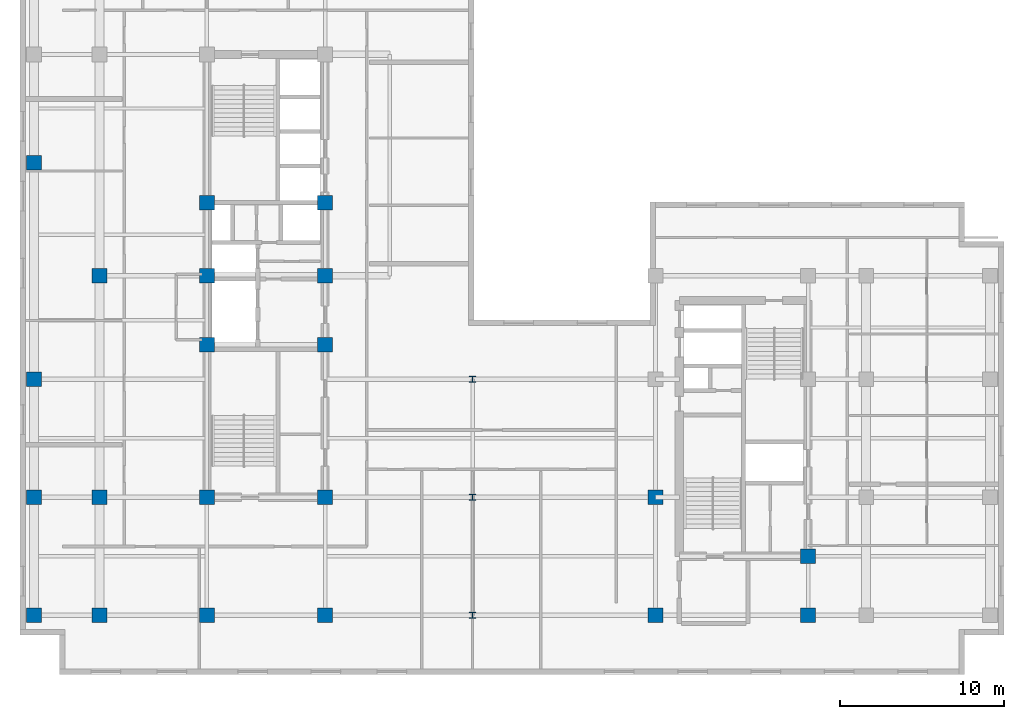
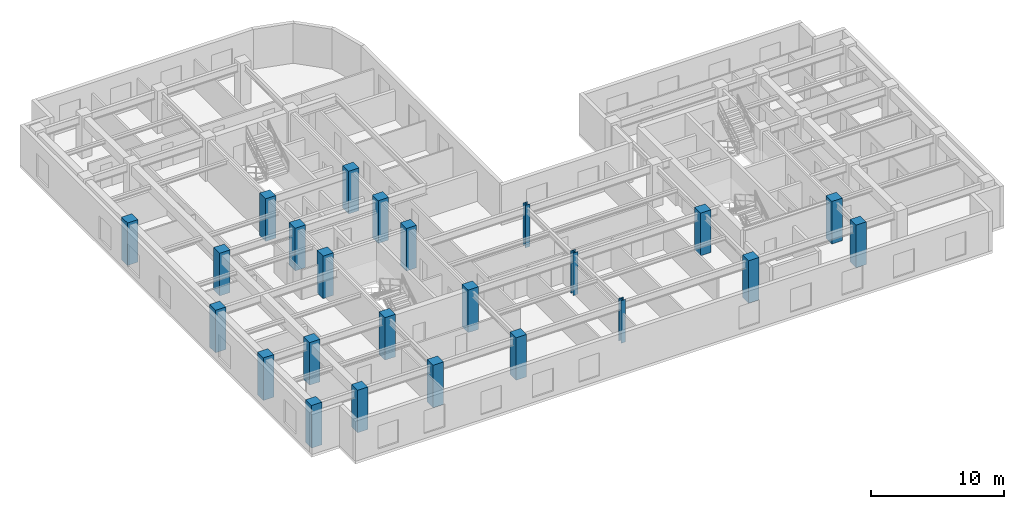
# One storey, part 1 of 11: 24 columns.
"""IFC4 building model written with IfcOpenShell, lengths in metres."""

import ifcopenshell
import ifcopenshell.guid

model = None  # the IFC model being written
_history = None  # IfcOwnerHistory: only IFC2X3 demands one
_inside = {}  # id of a spatial element -> (the spatial element, [elements in it])
_under = {}  # id of a project, library or spatial element -> (it, [spatial elements below it])
_declared = {}  # id of a project -> (the project, [libraries it declares])
_typed = {}  # id of a type object -> (the type object, [elements of that type])
_made_of = {}  # id of a material, layer set ... -> (it, [elements and type objects made of it])


def new_model(schema):
    """Start an empty IFC model of exactly this schema.

    Asked for "IFC4X3", IfcOpenShell would pick the latest addendum, in which some entities
    have other attributes; the version numbers below select the first issue.
    IFC2X3 requires an IfcOwnerHistory on every rooted entity: one is made here for all.
    """
    global model, _history
    if schema == "IFC4X3":
        model = ifcopenshell.file(schema_version=(4, 3, 0, 0))
    else:
        model = ifcopenshell.file(schema=schema)
    _inside.clear()
    _under.clear()
    _declared.clear()
    _typed.clear()
    _made_of.clear()
    _history = None
    if model.schema == "IFC2X3":
        org = make("IfcOrganization", Name="unknown")
        user = make(
            "IfcPersonAndOrganization",
            ThePerson=make("IfcPerson", FamilyName="unknown"),
            TheOrganization=org,
        )
        app = make(
            "IfcApplication",
            ApplicationDeveloper=org,
            Version="unknown",
            ApplicationFullName="unknown",
            ApplicationIdentifier="unknown",
        )
        _history = make(
            "IfcOwnerHistory",
            OwningUser=user,
            OwningApplication=app,
            ChangeAction="ADDED",
            CreationDate=0,
        )
    return model


def make(cls, **values):
    """One entity of the class cls with the attributes given. An attribute that is None is left unset."""
    return model.create_entity(
        cls, **{name: value for name, value in values.items() if value is not None}
    )


def entity(cls, *values):
    """Any entity or typed value of the class cls, its attributes in the order of the schema. None: left unset."""
    e = model.create_entity(cls)
    for i, value in enumerate(values):
        if value is not None:
            e[i] = value
    return e


def rooted(cls, **values):
    """An entity with a GlobalId (a new one), such as an element, a storey or a relation."""
    return make(cls, GlobalId=ifcopenshell.guid.new(), OwnerHistory=_history, **values)


def si_unit(unit_type, name, prefix=None):
    """IfcSIUnit, for example si_unit("LENGTHUNIT", "METRE", prefix="MILLI")."""
    return make("IfcSIUnit", UnitType=unit_type, Prefix=prefix, Name=name)


def converted_unit(unit_type, name, factor, base, dimensions=None, offset=None):
    """IfcConversionBasedUnit, such as the inch: factor (a typed value) times the base unit."""
    return make(
        "IfcConversionBasedUnit"
        if offset is None
        else "IfcConversionBasedUnitWithOffset",
        ConversionOffset=offset,
        Dimensions=None
        if dimensions is None
        else entity("IfcDimensionalExponents", *dimensions),
        UnitType=unit_type,
        Name=name,
        ConversionFactor=make(
            "IfcMeasureWithUnit", ValueComponent=factor, UnitComponent=base
        ),
    )


def assignment(units):
    """IfcUnitAssignment: the units of a project."""
    return None if units is None else make("IfcUnitAssignment", Units=units)


def point(xyz):
    """IfcCartesianPoint."""
    return None if xyz is None else make("IfcCartesianPoint", Coordinates=xyz)


def direction(xyz):
    """IfcDirection."""
    return None if xyz is None else make("IfcDirection", DirectionRatios=xyz)


def frame(location, z_axis=None, x_axis=None):
    """IfcAxis2Placement3D, a coordinate frame: its origin and axes. An axis left out is left unset."""
    return make(
        "IfcAxis2Placement3D",
        Location=point(location),
        Axis=direction(z_axis),
        RefDirection=direction(x_axis),
    )


def frame_2d(location, x_axis=None):
    """IfcAxis2Placement2D, a coordinate frame in the plane: its origin and x axis."""
    return make(
        "IfcAxis2Placement2D", Location=point(location), RefDirection=direction(x_axis)
    )


def origin_with_axes():
    """The frame at (0, 0, 0) with the z axis (0, 0, 1) and the x axis (1, 0, 0) written out."""
    return frame((0.0, 0.0, 0.0), z_axis=(0.0, 0.0, 1.0), x_axis=(1.0, 0.0, 0.0))


def origin_2d_with_axis():
    """The frame at (0, 0) in the plane with the x axis (1, 0) written out."""
    return frame_2d((0.0, 0.0), x_axis=(1.0, 0.0))


def place(relative_to, where):
    """IfcLocalPlacement: puts the frame where relative to a parent placement (None: the world)."""
    return make(
        "IfcLocalPlacement", PlacementRelTo=relative_to, RelativePlacement=where
    )


def context(
    kind, dimensions, precision=None, world=None, true_north=None, identifier=None
):
    """IfcGeometricRepresentationContext, for example the 3D "Model" context."""
    return make(
        "IfcGeometricRepresentationContext",
        ContextIdentifier=identifier,
        ContextType=kind,
        CoordinateSpaceDimension=dimensions,
        Precision=precision,
        WorldCoordinateSystem=world,
        TrueNorth=true_north,
    )


def subcontext(parent, identifier, kind, view, scale=None):
    """IfcGeometricRepresentationSubContext, for example "Body" below "Model"."""
    return make(
        "IfcGeometricRepresentationSubContext",
        ContextIdentifier=identifier,
        ContextType=kind,
        ParentContext=parent,
        TargetScale=scale,
        TargetView=view,
    )


def project(units=None, contexts=None):
    """IfcProject with its units and contexts."""
    return rooted(
        "IfcProject",
        Name="project",
        RepresentationContexts=contexts,
        UnitsInContext=assignment(units),
    )


def spatial(cls, under=None, at=None, **own):
    """A site, building, storey or space (cls), placed at a placement, below another one or the project."""
    s = rooted(cls, ObjectPlacement=at, **own)
    if under is not None:
        _under.setdefault(under.id(), (under, []))[1].append(s)
    return s


def profile(cls, at=None, kind="AREA", **sizes):
    """A parametric profile (cls). Its sizes go by their IFC names, for example OverallWidth=200.0."""
    return make(cls, ProfileType=kind, Position=at, **sizes)


def rectangle(**sizes):
    """IfcRectangleProfileDef."""
    return profile("IfcRectangleProfileDef", **sizes)


def i_section(**sizes):
    """IfcIShapeProfileDef."""
    return profile("IfcIShapeProfileDef", **sizes)


def extrude(swept, where, along, depth):
    """IfcExtrudedAreaSolid: the profile swept, set in the frame where, extruded along a direction by depth."""
    return make(
        "IfcExtrudedAreaSolid",
        SweptArea=swept,
        Position=where,
        ExtrudedDirection=direction(along),
        Depth=depth,
    )


def shape(context_of_items, identifier, shape_type, items):
    """IfcShapeRepresentation: the items that make up one representation, for example the "Body"."""
    return make(
        "IfcShapeRepresentation",
        ContextOfItems=context_of_items,
        RepresentationIdentifier=identifier,
        RepresentationType=shape_type,
        Items=items,
    )


def material(Name=None, Category=None):
    """IfcMaterial."""
    return make("IfcMaterial", Name=Name, Category=Category)


def material_profile(
    of_material, cross_section, Name=None, Category=None, Priority=None
):
    """IfcMaterialProfile: a cross section and its material."""
    return make(
        "IfcMaterialProfile",
        Name=Name,
        Material=of_material,
        Profile=cross_section,
        Priority=Priority,
        Category=Category,
    )


def profile_set(profiles, Name=None, composite=None):
    """IfcMaterialProfileSet."""
    return make(
        "IfcMaterialProfileSet",
        Name=Name,
        MaterialProfiles=profiles,
        CompositeProfile=composite,
    )


def made_of(thing, what):
    """Note that an element or type object is made of a material, layer set ...; save() writes the relation."""
    if what is not None:
        _made_of.setdefault(what.id(), (what, []))[1].append(thing)
    return thing


def type_object(cls, material=None, **own):
    """A type object (cls), such as IfcWallType, which elements share."""
    return made_of(rooted(cls, **own), material)


def element(
    cls,
    number,
    at=None,
    inside=None,
    cuts=None,
    type_object=None,
    material=None,
    context=None,
    identifier="Body",
    shape_type=None,
    held_by="IfcProductDefinitionShape",
    body=None,
    shapes=None,
    **own,
):
    """One element of the class cls, such as IfcWall. Its Tag is "e" and its number.

    at: its placement. inside: the storey or other place that contains it. cuts: it is an
    opening in that element (IfcRelVoidsElement). A single representation is given by context,
    identifier, shape_type and body (its items); several are given by shapes. held_by: the class
    of the entity that holds the representations. save() writes the other relations.
    """
    e = rooted(cls, Tag="e%d" % number, ObjectPlacement=at, **own)
    if body is not None:
        shapes = [shape(context, identifier, shape_type, body)]
    if shapes is not None:
        e.Representation = make(held_by, Representations=shapes)
    if inside is not None:
        _inside.setdefault(inside.id(), (inside, []))[1].append(e)
    if cuts is not None:
        rooted(
            "IfcRelVoidsElement", RelatingBuildingElement=cuts, RelatedOpeningElement=e
        )
    if type_object is not None:
        _typed.setdefault(type_object.id(), (type_object, []))[1].append(e)
    return made_of(e, material)


def aggregate(whole, parts):
    """IfcRelAggregates: a whole, such as a stair, and the parts it consists of."""
    return rooted("IfcRelAggregates", RelatingObject=whole, RelatedObjects=parts)


def save(model, path):
    """Write the relations noted so far, then the file.

    IfcRelAggregates (storeys below a building ...), IfcRelContainedInSpatialStructure (elements
    in a storey), IfcRelDefinesByType, IfcRelAssociatesMaterial and IfcRelDeclares: one each for
    every whole, place, type object, material and project.
    """
    for whole, parts in _under.values():
        aggregate(whole, parts)
    for where, things in _inside.values():
        rooted(
            "IfcRelContainedInSpatialStructure",
            RelatedElements=things,
            RelatingStructure=where,
        )
    for kind, things in _typed.values():
        rooted("IfcRelDefinesByType", RelatedObjects=things, RelatingType=kind)
    for what, things in _made_of.values():
        rooted("IfcRelAssociatesMaterial", RelatedObjects=things, RelatingMaterial=what)
    for by, libraries in _declared.values():
        rooted("IfcRelDeclares", RelatingContext=by, RelatedDefinitions=libraries)
    model.write(path)


model = new_model("IFC4")

# Units and contexts
model_context = context("Model", 3, precision=1e-05, world=origin_with_axes(), true_north=direction((0.0, 1.0)))
body_context = subcontext(model_context, "Body", "Model", "MODEL_VIEW")
ifc_project = project(units=[si_unit("LENGTHUNIT", "METRE"), si_unit("AREAUNIT", "SQUARE_METRE"), si_unit("VOLUMEUNIT", "CUBIC_METRE"), converted_unit("PLANEANGLEUNIT", "DEGREE", entity("IfcPlaneAngleMeasure", 0.017453292519943295), si_unit("PLANEANGLEUNIT", "RADIAN"), dimensions=[0, 0, 0, 0, 0, 0, 0]), si_unit("MASSUNIT", "GRAM", prefix="KILO"), si_unit("THERMODYNAMICTEMPERATUREUNIT", "KELVIN")], contexts=[model_context])

# Site, building, storey
site_placement = place(None, origin_with_axes())
site = spatial("IfcSite", under=ifc_project, at=site_placement, CompositionType="ELEMENT")
building_placement = place(site_placement, origin_with_axes())
building = spatial("IfcBuilding", under=site, at=building_placement, Name="Varnlund Millrace Tower", CompositionType="ELEMENT")
storey_placement = place(building_placement, frame((0.0, 0.0, 192.6), z_axis=(0.0, 0.0, 1.0), x_axis=(1.0, 0.0, 0.0)))
storey = spatial("IfcBuildingStorey", under=building, at=storey_placement, Name="L47", CompositionType="ELEMENT", Elevation=192.6)

# Columns
ifc_material_1 = material(Name="Steel ASTM A992 Grade 50", Category="steel")
ifc_material_profile_1 = material_profile(ifc_material_1, i_section(OverallWidth=0.394, OverallDepth=0.375, WebThickness=0.0173, FlangeThickness=0.0277, FilletRadius=0.02, at=origin_2d_with_axis()), Name="Steel ASTM A992 Grade 50")
ifc_profile_set_1 = profile_set([ifc_material_profile_1], Name="Steel ASTM A992 Grade 50")
column_type_1 = type_object("IfcColumnType", Name="Type-Col-Int-W14X145", PredefinedType="COLUMN", material=ifc_profile_set_1)
for number, where, z_axis, x_axis, name in (
    (1, (27.6, 3.6, 0.0), (0.0, 0.0, 1.0), (1.0, 0.0, 0.0), "Type-Col-Int-W14X145"),
    (2, (27.6, 10.8, 0.0), (0.0, 0.0, 1.0), (1.0, 0.0, 0.0), "Type-Col-Int-W14X145"),
    (3, (27.6, 18.0, 0.0), (0.0, 0.0, 1.0), (1.0, 0.0, 0.0), "Type-Col-Int-W14X145"),
):
    element("IfcColumn", number, at=place(storey_placement, frame(where, z_axis=z_axis, x_axis=x_axis)), inside=storey, type_object=column_type_1, Name=name, PredefinedType="COLUMN", context=body_context, shape_type="SweptSolid", body=[
        extrude(i_section(OverallWidth=0.394, OverallDepth=0.375, WebThickness=0.0173, FlangeThickness=0.0277, FilletRadius=0.02, at=origin_2d_with_axis()), origin_with_axes(), (0.0, 0.0, 1.0), 3.9),
    ])
ifc_material_2 = material(Name="Concrete C70/85", Category="concrete")
ifc_material_profile_2 = material_profile(ifc_material_2, rectangle(XDim=0.9, YDim=0.9, at=origin_2d_with_axis()), Name="Concrete C70/85")
ifc_profile_set_2 = profile_set([ifc_material_profile_2], Name="Concrete C70/85")
column_type_2 = type_object("IfcColumnType", Name="Type-Col-RC900-C70", PredefinedType="COLUMN", material=ifc_profile_set_2)
for number, where, z_axis, x_axis, name in (
    (4, (11.4, 3.6, 0.0), (0.0, 0.0, 1.0), (1.0, 0.0, 0.0), "Type-Col-RC900-C70"),
    (5, (11.4, 10.8, 0.0), (0.0, 0.0, 1.0), (1.0, 0.0, 0.0), "Type-Col-RC900-C70"),
    (6, (11.4, 20.1, 0.0), (0.0, 0.0, 1.0), (1.0, 0.0, 0.0), "Type-Col-RC900-C70"),
    (7, (11.4, 24.3, 0.0), (0.0, 0.0, 1.0), (1.0, 0.0, 0.0), "Type-Col-RC900-C70"),
    (8, (11.4, 28.75, 0.0), (0.0, 0.0, 1.0), (1.0, 0.0, 0.0), "Type-Col-RC900-C70"),
    (9, (18.6, 3.6, 0.0), (0.0, 0.0, 1.0), (1.0, 0.0, 0.0), "Type-Col-RC900-C70"),
    (10, (18.6, 10.8, 0.0), (0.0, 0.0, 1.0), (1.0, 0.0, 0.0), "Type-Col-RC900-C70"),
    (11, (18.6, 20.1, 0.0), (0.0, 0.0, 1.0), (1.0, 0.0, 0.0), "Type-Col-RC900-C70"),
    (12, (18.6, 24.3, 0.0), (0.0, 0.0, 1.0), (1.0, 0.0, 0.0), "Type-Col-RC900-C70"),
    (13, (18.6, 28.75, 0.0), (0.0, 0.0, 1.0), (1.0, 0.0, 0.0), "Type-Col-RC900-C70"),
    (14, (4.85, 3.6, 0.0), (0.0, 0.0, 1.0), (1.0, 0.0, 0.0), "Type-Col-RC900-C70"),
    (15, (4.85, 10.8, 0.0), (0.0, 0.0, 1.0), (1.0, 0.0, 0.0), "Type-Col-RC900-C70"),
    (16, (4.85, 24.3, 0.0), (0.0, 0.0, 1.0), (1.0, 0.0, 0.0), "Type-Col-RC900-C70"),
    (17, (0.85, 3.6, 0.0), (0.0, 0.0, 1.0), (1.0, 0.0, 0.0), "Type-Col-RC900-C70"),
    (18, (0.85, 10.8, 0.0), (0.0, 0.0, 1.0), (1.0, 0.0, 0.0), "Type-Col-RC900-C70"),
    (19, (0.85, 18.0, 0.0), (0.0, 0.0, 1.0), (1.0, 0.0, 0.0), "Type-Col-RC900-C70"),
    (20, (0.85, 31.2, 0.0), (0.0, 0.0, 1.0), (1.0, 0.0, 0.0), "Type-Col-RC900-C70"),
    (21, (38.75, 3.6, 0.0), (0.0, 0.0, 1.0), (1.0, 0.0, 0.0), "Type-Col-RC900-C70"),
    (22, (38.75, 10.8, 0.0), (0.0, 0.0, 1.0), (1.0, 0.0, 0.0), "Type-Col-RC900-C70"),
    (23, (48.05, 3.6, 0.0), (0.0, 0.0, 1.0), (1.0, 0.0, 0.0), "Type-Col-RC900-C70"),
    (24, (48.05, 7.2, 0.0), (0.0, 0.0, 1.0), (1.0, 0.0, 0.0), "Type-Col-RC900-C70"),
):
    element("IfcColumn", number, at=place(storey_placement, frame(where, z_axis=z_axis, x_axis=x_axis)), inside=storey, type_object=column_type_2, Name=name, PredefinedType="COLUMN", context=body_context, shape_type="SweptSolid", body=[
        extrude(rectangle(XDim=0.9, YDim=0.9, at=origin_2d_with_axis()), origin_with_axes(), (0.0, 0.0, 1.0), 3.9),
    ])

save(model, "model.ifc")
